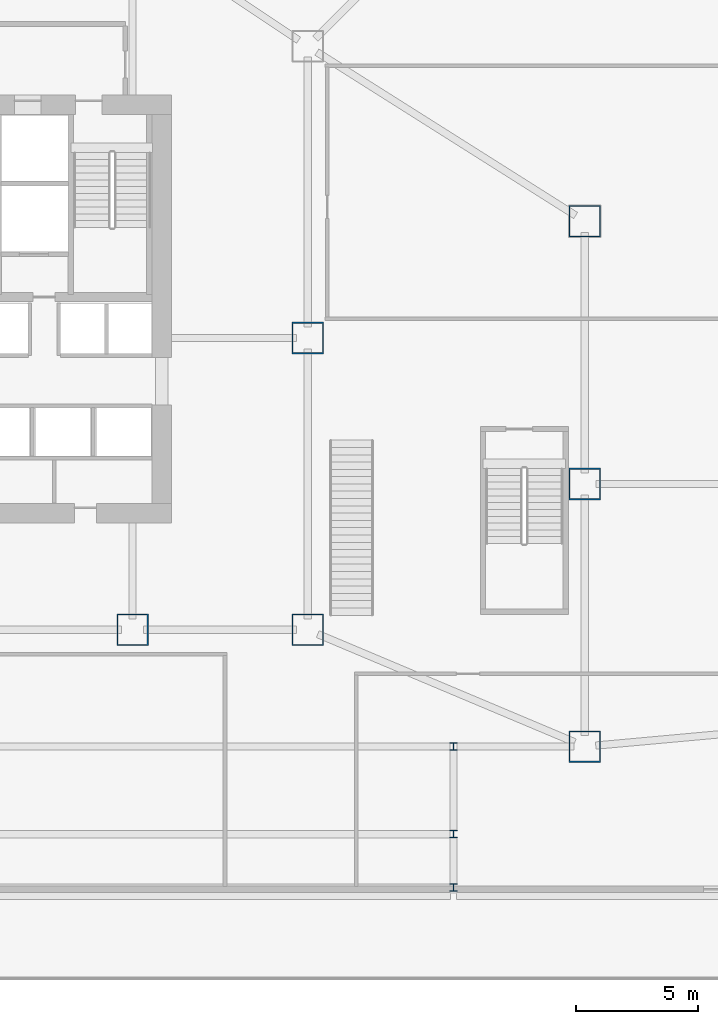
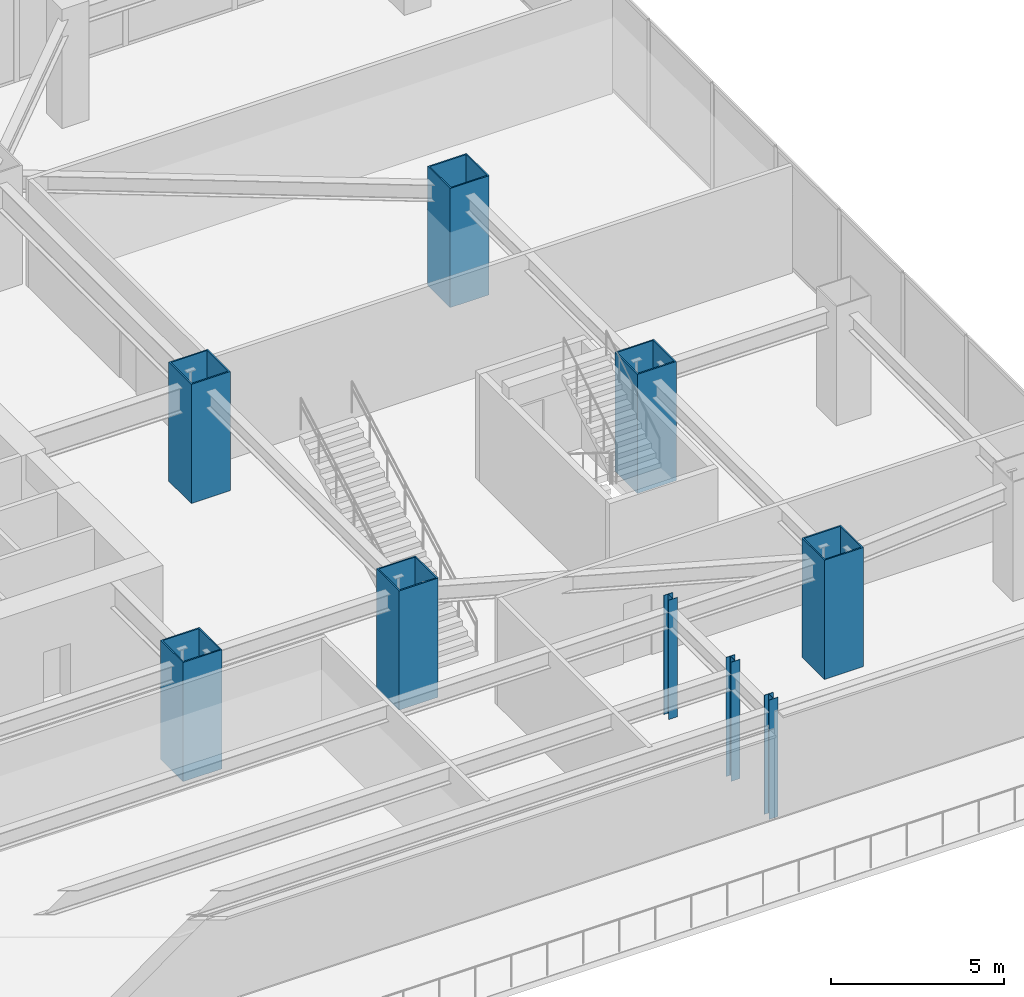
# One storey, part 2 of 32: 9 columns.
"""IFC4 building model written with IfcOpenShell, lengths in metres."""

import ifcopenshell
import ifcopenshell.guid

model = None  # the IFC model being written
_history = None  # IfcOwnerHistory: only IFC2X3 demands one
_inside = {}  # id of a spatial element -> (the spatial element, [elements in it])
_under = {}  # id of a project, library or spatial element -> (it, [spatial elements below it])
_declared = {}  # id of a project -> (the project, [libraries it declares])
_typed = {}  # id of a type object -> (the type object, [elements of that type])
_made_of = {}  # id of a material, layer set ... -> (it, [elements and type objects made of it])


def new_model(schema):
    """Start an empty IFC model of exactly this schema.

    Asked for "IFC4X3", IfcOpenShell would pick the latest addendum, in which some entities
    have other attributes; the version numbers below select the first issue.
    IFC2X3 requires an IfcOwnerHistory on every rooted entity: one is made here for all.
    """
    global model, _history
    if schema == "IFC4X3":
        model = ifcopenshell.file(schema_version=(4, 3, 0, 0))
    else:
        model = ifcopenshell.file(schema=schema)
    _inside.clear()
    _under.clear()
    _declared.clear()
    _typed.clear()
    _made_of.clear()
    _history = None
    if model.schema == "IFC2X3":
        org = make("IfcOrganization", Name="unknown")
        user = make(
            "IfcPersonAndOrganization",
            ThePerson=make("IfcPerson", FamilyName="unknown"),
            TheOrganization=org,
        )
        app = make(
            "IfcApplication",
            ApplicationDeveloper=org,
            Version="unknown",
            ApplicationFullName="unknown",
            ApplicationIdentifier="unknown",
        )
        _history = make(
            "IfcOwnerHistory",
            OwningUser=user,
            OwningApplication=app,
            ChangeAction="ADDED",
            CreationDate=0,
        )
    return model


def make(cls, **values):
    """One entity of the class cls with the attributes given. An attribute that is None is left unset."""
    return model.create_entity(
        cls, **{name: value for name, value in values.items() if value is not None}
    )


def rooted(cls, **values):
    """An entity with a GlobalId (a new one), such as an element, a storey or a relation."""
    return make(cls, GlobalId=ifcopenshell.guid.new(), OwnerHistory=_history, **values)


def si_unit(unit_type, name, prefix=None):
    """IfcSIUnit, for example si_unit("LENGTHUNIT", "METRE", prefix="MILLI")."""
    return make("IfcSIUnit", UnitType=unit_type, Prefix=prefix, Name=name)


def assignment(units):
    """IfcUnitAssignment: the units of a project."""
    return None if units is None else make("IfcUnitAssignment", Units=units)


def point(xyz):
    """IfcCartesianPoint."""
    return None if xyz is None else make("IfcCartesianPoint", Coordinates=xyz)


def direction(xyz):
    """IfcDirection."""
    return None if xyz is None else make("IfcDirection", DirectionRatios=xyz)


def frame(location, z_axis=None, x_axis=None):
    """IfcAxis2Placement3D, a coordinate frame: its origin and axes. An axis left out is left unset."""
    return make(
        "IfcAxis2Placement3D",
        Location=point(location),
        Axis=direction(z_axis),
        RefDirection=direction(x_axis),
    )


def frame_2d(location, x_axis=None):
    """IfcAxis2Placement2D, a coordinate frame in the plane: its origin and x axis."""
    return make(
        "IfcAxis2Placement2D", Location=point(location), RefDirection=direction(x_axis)
    )


def origin():
    """The frame at (0, 0, 0) with its axes left unset."""
    return frame((0.0, 0.0, 0.0))


def origin_2d():
    """The frame at (0, 0) in the plane with its x axis left unset."""
    return frame_2d((0.0, 0.0))


def place(relative_to, where):
    """IfcLocalPlacement: puts the frame where relative to a parent placement (None: the world)."""
    return make(
        "IfcLocalPlacement", PlacementRelTo=relative_to, RelativePlacement=where
    )


def context(
    kind, dimensions, precision=None, world=None, true_north=None, identifier=None
):
    """IfcGeometricRepresentationContext, for example the 3D "Model" context."""
    return make(
        "IfcGeometricRepresentationContext",
        ContextIdentifier=identifier,
        ContextType=kind,
        CoordinateSpaceDimension=dimensions,
        Precision=precision,
        WorldCoordinateSystem=world,
        TrueNorth=true_north,
    )


def subcontext(parent, identifier, kind, view, scale=None):
    """IfcGeometricRepresentationSubContext, for example "Body" below "Model"."""
    return make(
        "IfcGeometricRepresentationSubContext",
        ContextIdentifier=identifier,
        ContextType=kind,
        ParentContext=parent,
        TargetScale=scale,
        TargetView=view,
    )


def project(units=None, contexts=None):
    """IfcProject with its units and contexts."""
    return rooted(
        "IfcProject",
        Name="project",
        RepresentationContexts=contexts,
        UnitsInContext=assignment(units),
    )


def spatial(cls, under=None, at=None, **own):
    """A site, building, storey or space (cls), placed at a placement, below another one or the project."""
    s = rooted(cls, ObjectPlacement=at, **own)
    if under is not None:
        _under.setdefault(under.id(), (under, []))[1].append(s)
    return s


def profile(cls, at=None, kind="AREA", **sizes):
    """A parametric profile (cls). Its sizes go by their IFC names, for example OverallWidth=200.0."""
    return make(cls, ProfileType=kind, Position=at, **sizes)


def hollow_rectangle(**sizes):
    """IfcRectangleHollowProfileDef."""
    return profile("IfcRectangleHollowProfileDef", **sizes)


def i_section(**sizes):
    """IfcIShapeProfileDef."""
    return profile("IfcIShapeProfileDef", **sizes)


def extrude(swept, where, along, depth):
    """IfcExtrudedAreaSolid: the profile swept, set in the frame where, extruded along a direction by depth."""
    return make(
        "IfcExtrudedAreaSolid",
        SweptArea=swept,
        Position=where,
        ExtrudedDirection=direction(along),
        Depth=depth,
    )


def shape(context_of_items, identifier, shape_type, items):
    """IfcShapeRepresentation: the items that make up one representation, for example the "Body"."""
    return make(
        "IfcShapeRepresentation",
        ContextOfItems=context_of_items,
        RepresentationIdentifier=identifier,
        RepresentationType=shape_type,
        Items=items,
    )


def material(Name=None, Category=None):
    """IfcMaterial."""
    return make("IfcMaterial", Name=Name, Category=Category)


def material_profile(
    of_material, cross_section, Name=None, Category=None, Priority=None
):
    """IfcMaterialProfile: a cross section and its material."""
    return make(
        "IfcMaterialProfile",
        Name=Name,
        Material=of_material,
        Profile=cross_section,
        Priority=Priority,
        Category=Category,
    )


def profile_set(profiles, Name=None, composite=None):
    """IfcMaterialProfileSet."""
    return make(
        "IfcMaterialProfileSet",
        Name=Name,
        MaterialProfiles=profiles,
        CompositeProfile=composite,
    )


def made_of(thing, what):
    """Note that an element or type object is made of a material, layer set ...; save() writes the relation."""
    if what is not None:
        _made_of.setdefault(what.id(), (what, []))[1].append(thing)
    return thing


def type_object(cls, material=None, **own):
    """A type object (cls), such as IfcWallType, which elements share."""
    return made_of(rooted(cls, **own), material)


def element(
    cls,
    number,
    at=None,
    inside=None,
    cuts=None,
    type_object=None,
    material=None,
    context=None,
    identifier="Body",
    shape_type=None,
    held_by="IfcProductDefinitionShape",
    body=None,
    shapes=None,
    **own,
):
    """One element of the class cls, such as IfcWall. Its Tag is "e" and its number.

    at: its placement. inside: the storey or other place that contains it. cuts: it is an
    opening in that element (IfcRelVoidsElement). A single representation is given by context,
    identifier, shape_type and body (its items); several are given by shapes. held_by: the class
    of the entity that holds the representations. save() writes the other relations.
    """
    e = rooted(cls, Tag="e%d" % number, ObjectPlacement=at, **own)
    if body is not None:
        shapes = [shape(context, identifier, shape_type, body)]
    if shapes is not None:
        e.Representation = make(held_by, Representations=shapes)
    if inside is not None:
        _inside.setdefault(inside.id(), (inside, []))[1].append(e)
    if cuts is not None:
        rooted(
            "IfcRelVoidsElement", RelatingBuildingElement=cuts, RelatedOpeningElement=e
        )
    if type_object is not None:
        _typed.setdefault(type_object.id(), (type_object, []))[1].append(e)
    return made_of(e, material)


def aggregate(whole, parts):
    """IfcRelAggregates: a whole, such as a stair, and the parts it consists of."""
    return rooted("IfcRelAggregates", RelatingObject=whole, RelatedObjects=parts)


def save(model, path):
    """Write the relations noted so far, then the file.

    IfcRelAggregates (storeys below a building ...), IfcRelContainedInSpatialStructure (elements
    in a storey), IfcRelDefinesByType, IfcRelAssociatesMaterial and IfcRelDeclares: one each for
    every whole, place, type object, material and project.
    """
    for whole, parts in _under.values():
        aggregate(whole, parts)
    for where, things in _inside.values():
        rooted(
            "IfcRelContainedInSpatialStructure",
            RelatedElements=things,
            RelatingStructure=where,
        )
    for kind, things in _typed.values():
        rooted("IfcRelDefinesByType", RelatedObjects=things, RelatingType=kind)
    for what, things in _made_of.values():
        rooted("IfcRelAssociatesMaterial", RelatedObjects=things, RelatingMaterial=what)
    for by, libraries in _declared.values():
        rooted("IfcRelDeclares", RelatingContext=by, RelatedDefinitions=libraries)
    model.write(path)


model = new_model("IFC4")

# Units and contexts
model_context = context("Model", 3, precision=1e-05, world=origin(), true_north=direction((0.0, 1.0)))
body_context = subcontext(model_context, "Body", "Model", "MODEL_VIEW")
ifc_project = project(units=[si_unit("LENGTHUNIT", "METRE"), si_unit("AREAUNIT", "SQUARE_METRE"), si_unit("VOLUMEUNIT", "CUBIC_METRE"), si_unit("PLANEANGLEUNIT", "RADIAN"), si_unit("MASSUNIT", "GRAM", prefix="KILO")], contexts=[model_context])

# Site, building, storey
site_placement = place(None, origin())
site = spatial("IfcSite", under=ifc_project, at=site_placement, CompositionType="ELEMENT")
building_placement = place(site_placement, origin())
building = spatial("IfcBuilding", under=site, at=building_placement, Name="Haolan Belvedere Tower", CompositionType="ELEMENT")
storey_placement = place(building_placement, frame((0.0, 0.0, 15.60009765625)))
storey = spatial("IfcBuildingStorey", under=building, at=storey_placement, Name="L03", CompositionType="ELEMENT", Elevation=15.60009765625)

# Columns
ifc_material = material(Name="Steel Q355B", Category="steel")
ifc_material_profile_1 = material_profile(ifc_material, hollow_rectangle(XDim=1.300048828125, YDim=1.300048828125, WallThickness=0.048095703125, at=origin_2d()), Name="Steel Q355B")
ifc_profile_set_1 = profile_set([ifc_material_profile_1], Name="Steel Q355B")
column_type_1 = type_object("IfcColumnType", Name="COL-BOX1300x1300x48", PredefinedType="COLUMN", material=ifc_profile_set_1)
for number, where, z_axis, x_axis, name in (
    (1, (52.800048828125, 21.60009765625, 0.0), (0.0, 0.0, 1.0), (1.0, 0.0, 0.0), "L03 column MC-T3-SE (BOX1300x1300x48)"),
    (2, (52.800048828125, 33.60009765625, 0.0), (0.0, 0.0, 1.0), (1.0, 0.0, 0.0), "L03 column MC-T3-ME (BOX1300x1300x48)"),
    (3, (45.60009765625, 21.60009765625, 0.0), (0.0, 0.0, 1.0), (1.0, 0.0, 0.0), "L03 column MC-T3-S2 (BOX1300x1300x48)"),
    (4, (64.199951171875, 16.800048828125, 0.0), (0.0, 0.0, 1.0), (1.0, 0.0, 0.0), "L03 column MC-T4-SE (BOX1300x1300x48)"),
    (5, (64.199951171875, 27.60009765625, 0.0), (0.0, 0.0, 1.0), (1.0, 0.0, 0.0), "L03 column MC-T4-ME (BOX1300x1300x48)"),
    (6, (64.199951171875, 38.39990234375, 0.0), (0.0, 0.0, 1.0), (1.0, 0.0, 0.0), "L03 column MC-T4-NE (BOX1300x1300x48)"),
):
    element("IfcColumn", number, at=place(storey_placement, frame(where, z_axis=z_axis, x_axis=x_axis)), inside=storey, type_object=column_type_1, Name=name, PredefinedType="COLUMN", context=body_context, shape_type="SweptSolid", body=[
        extrude(hollow_rectangle(XDim=1.300048828125, YDim=1.300048828125, WallThickness=0.048095703125, at=origin_2d()), origin(), (0.0, 0.0, 1.0), 4.199951171875),
    ])
ifc_material_profile_2 = material_profile(ifc_material, i_section(OverallWidth=0.300048828125, OverallDepth=0.300048828125, WebThickness=0.010009765625, FlangeThickness=0.014892578125, FilletRadius=0.01806640625, at=origin_2d()), Name="Steel Q355B")
ifc_profile_set_2 = profile_set([ifc_material_profile_2], Name="Steel Q355B")
column_type_2 = type_object("IfcColumnType", Name="COL-HW300x300x10x15", PredefinedType="COLUMN", material=ifc_profile_set_2)
for number, where, z_axis, x_axis, name in (
    (7, (58.800048828125, 11.0, 0.0), (0.0, 0.0, 1.0), (1.0, 0.0, 0.0), "L03 column PC-CS2-E (HW300x300x10x15)"),
    (8, (58.800048828125, 13.199951171875, 0.0), (0.0, 0.0, 1.0), (1.0, 0.0, 0.0), "L03 column PC-CS3-E (HW300x300x10x15)"),
    (9, (58.800048828125, 16.800048828125, 0.0), (0.0, 0.0, 1.0), (1.0, 0.0, 0.0), "L03 column PC-CS4-E (HW300x300x10x15)"),
):
    element("IfcColumn", number, at=place(storey_placement, frame(where, z_axis=z_axis, x_axis=x_axis)), inside=storey, type_object=column_type_2, Name=name, PredefinedType="COLUMN", context=body_context, shape_type="SweptSolid", body=[
        extrude(i_section(OverallWidth=0.300048828125, OverallDepth=0.300048828125, WebThickness=0.010009765625, FlangeThickness=0.014892578125, FilletRadius=0.01806640625, at=origin_2d()), origin(), (0.0, 0.0, 1.0), 4.199951171875),
    ])

save(model, "model.ifc")
